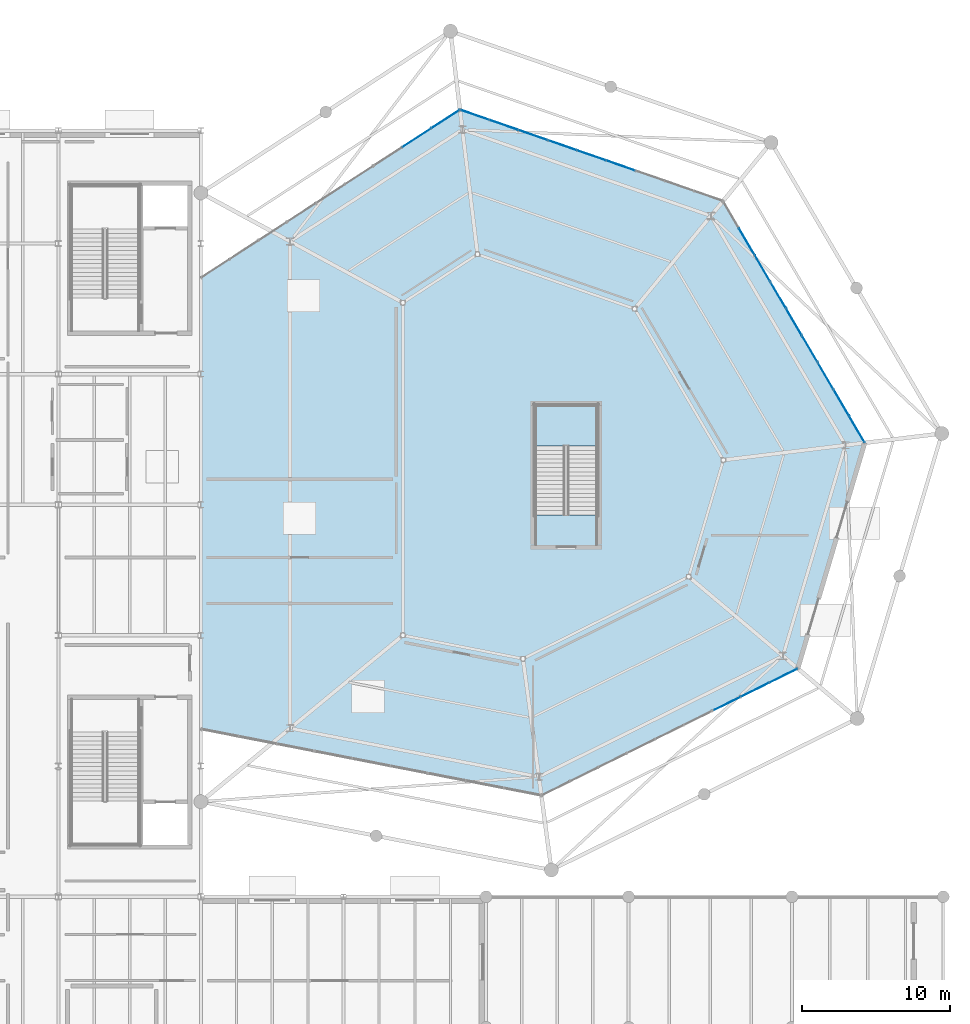
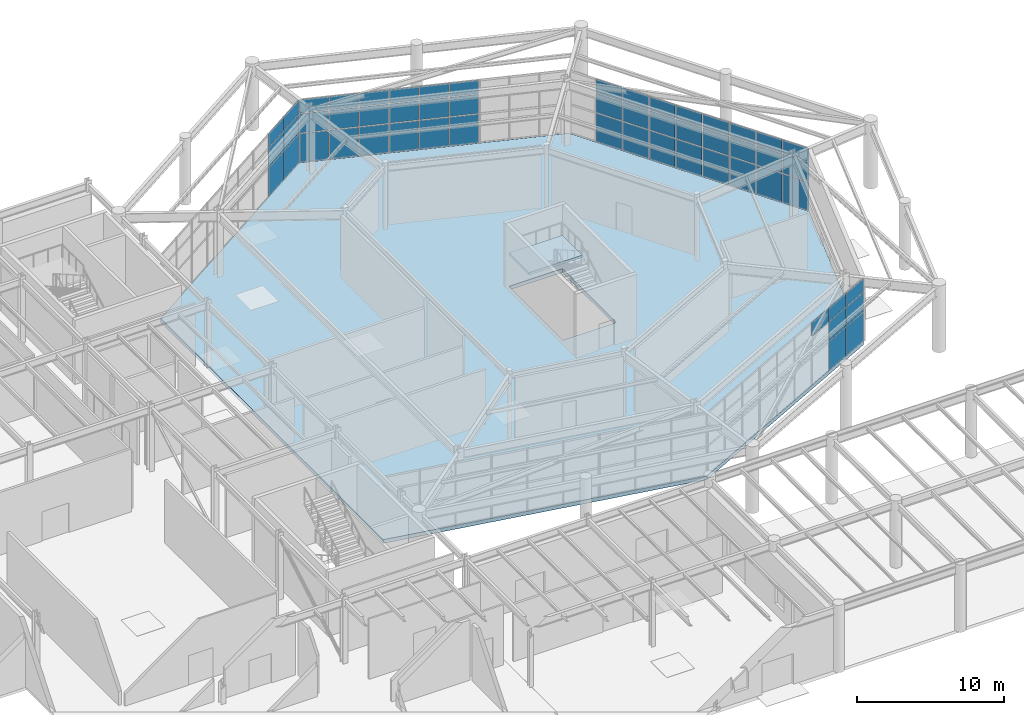
# One storey, part 39 of 70: 55 plates, 2 slabs, 8 elements without a shape of their own.
"""IFC4 building model written with IfcOpenShell, lengths in metres."""

from ifc_helpers import new_model, si_unit, direction, frame, origin, origin_2d, place, context, subcontext, project, spatial, polyline, rectangle, outline, extrude, material, layer, layer_set, type_object, element, aggregate, save


model = new_model("IFC4")

# Units and contexts
model_context = context("Model", 3, precision=1e-05, world=origin(), true_north=direction((0.0, 1.0)))
body_context = subcontext(model_context, "Body", "Model", "MODEL_VIEW")
ifc_project = project(units=[si_unit("LENGTHUNIT", "METRE"), si_unit("AREAUNIT", "SQUARE_METRE"), si_unit("VOLUMEUNIT", "CUBIC_METRE"), si_unit("PLANEANGLEUNIT", "RADIAN"), si_unit("MASSUNIT", "GRAM", prefix="KILO")], contexts=[model_context])

# Site, building, storey
site_placement = place(None, origin())
site = spatial("IfcSite", under=ifc_project, at=site_placement, CompositionType="ELEMENT")
building_placement = place(site_placement, origin())
building = spatial("IfcBuilding", under=site, at=building_placement, Name="Sarnbrook Museum", CompositionType="ELEMENT")
storey_placement = place(building_placement, origin())
storey = spatial("IfcBuildingStorey", under=building, at=storey_placement, Name="L00", CompositionType="ELEMENT", Elevation=0.0)

# Curtain wall, plates
ifc_material_1 = material(Name="Thermally Broken Anodised Aluminium 6063-T6", Category="aluminium")
curtain_wall_type = type_object("IfcCurtainWallType", Name="CurtainWall_Colonnade", PredefinedType="NOTDEFINED", material=ifc_material_1)
curtain_wall_1_placement = place(storey_placement, origin())
curtain_wall_1 = element("IfcCurtainWall", 1, at=curtain_wall_1_placement, inside=storey, type_object=curtain_wall_type, Name="Colonnade Recessed Glazing L00-F2.3", PredefinedType="NOTDEFINED")
ifc_material_2 = material(Name="Double-Glazed Low-Iron Laminated Safety Glass", Category="glass")
ifc_layer_1 = layer(ifc_material_2, 0.031982421875)
ifc_layer_set_1 = layer_set([ifc_layer_1], Name="Double-Glazed Low-Iron Laminated Safety Glass")
plate_type = type_object("IfcPlateType", Name="CW_GlazedPanel_32", PredefinedType="CURTAIN_PANEL", material=ifc_layer_set_1)
plate_1_placement = place(storey_placement, frame((154.593505859375, 69.8046875, 4.695068359375), z_axis=(0.443729206176, -0.896160918355, 0.0), x_axis=(0.896160918355, 0.443729206176, 0.0)))
plate_1 = element("IfcPlate", 2, at=plate_1_placement, type_object=plate_type, Name="Colonnade Recessed Glazing L00-F2.3 Glazed Panel 1-3", PredefinedType="CURTAIN_PANEL", context=body_context, shape_type="SweptSolid", body=[
    extrude(rectangle(XDim=2.066162109375, YDim=1.1201171875, at=origin_2d()), origin(), (0.0, 0.0, 1.0), 0.031982421875),
])
plate_2_placement = place(storey_placement, frame((156.512451171875, 70.7548828125, 1.22509765625), z_axis=(0.443729206176, -0.896160918355, 0.0), x_axis=(0.896160918355, 0.443729206176, 0.0)))
plate_2 = element("IfcPlate", 3, at=plate_2_placement, type_object=plate_type, Name="Colonnade Recessed Glazing L00-F2.3 Glazed Panel 2-1", PredefinedType="CURTAIN_PANEL", context=body_context, shape_type="SweptSolid", body=[
    extrude(rectangle(XDim=2.066162109375, YDim=2.3798828125, at=origin_2d()), origin(), (0.0, 0.0, 1.0), 0.031982421875),
])
plate_3_placement = place(storey_placement, frame((156.512451171875, 70.7548828125, 3.27490234375), z_axis=(0.443729206176, -0.896160918355, 0.0), x_axis=(0.896160918355, 0.443729206176, 0.0)))
plate_3 = element("IfcPlate", 4, at=plate_3_placement, type_object=plate_type, Name="Colonnade Recessed Glazing L00-F2.3 Glazed Panel 2-2", PredefinedType="CURTAIN_PANEL", context=body_context, shape_type="SweptSolid", body=[
    extrude(rectangle(XDim=2.066162109375, YDim=1.580078125, at=origin_2d()), origin(), (0.0, 0.0, 1.0), 0.031982421875),
])
plate_4_placement = place(storey_placement, frame((156.512451171875, 70.7548828125, 4.695068359375), z_axis=(0.443729206176, -0.896160918355, 0.0), x_axis=(0.896160918355, 0.443729206176, 0.0)))
plate_4 = element("IfcPlate", 5, at=plate_4_placement, type_object=plate_type, Name="Colonnade Recessed Glazing L00-F2.3 Glazed Panel 2-3", PredefinedType="CURTAIN_PANEL", context=body_context, shape_type="SweptSolid", body=[
    extrude(rectangle(XDim=2.066162109375, YDim=1.1201171875, at=origin_2d()), origin(), (0.0, 0.0, 1.0), 0.031982421875),
])
plate_5_placement = place(storey_placement, frame((158.43115234375, 71.704833984375, 1.22509765625), z_axis=(0.443729206176, -0.896160918355, 0.0), x_axis=(0.896160918355, 0.443729206176, 0.0)))
plate_5 = element("IfcPlate", 6, at=plate_5_placement, type_object=plate_type, Name="Colonnade Recessed Glazing L00-F2.3 Glazed Panel 3-1", PredefinedType="CURTAIN_PANEL", context=body_context, shape_type="SweptSolid", body=[
    extrude(rectangle(XDim=2.066162109375, YDim=2.3798828125, at=origin_2d()), origin(), (0.0, 0.0, 1.0), 0.031982421875),
])
plate_6_placement = place(storey_placement, frame((158.43115234375, 71.704833984375, 3.27490234375), z_axis=(0.443729206176, -0.896160918355, 0.0), x_axis=(0.896160918355, 0.443729206176, 0.0)))
plate_6 = element("IfcPlate", 7, at=plate_6_placement, type_object=plate_type, Name="Colonnade Recessed Glazing L00-F2.3 Glazed Panel 3-2", PredefinedType="CURTAIN_PANEL", context=body_context, shape_type="SweptSolid", body=[
    extrude(rectangle(XDim=2.066162109375, YDim=1.580078125, at=origin_2d()), origin(), (0.0, 0.0, 1.0), 0.031982421875),
])
plate_7_placement = place(storey_placement, frame((158.43115234375, 71.704833984375, 4.695068359375), z_axis=(0.443729206176, -0.896160918355, 0.0), x_axis=(0.896160918355, 0.443729206176, 0.0)))
plate_7 = element("IfcPlate", 8, at=plate_7_placement, type_object=plate_type, Name="Colonnade Recessed Glazing L00-F2.3 Glazed Panel 3-3", PredefinedType="CURTAIN_PANEL", context=body_context, shape_type="SweptSolid", body=[
    extrude(rectangle(XDim=2.066162109375, YDim=1.1201171875, at=origin_2d()), origin(), (0.0, 0.0, 1.0), 0.031982421875),
])
aggregate(curtain_wall_1, [plate_1, plate_2, plate_3, plate_4, plate_5, plate_6, plate_7])

curtain_wall_2_placement = place(storey_placement, origin())
curtain_wall_2 = element("IfcCurtainWall", 9, at=curtain_wall_2_placement, inside=storey, type_object=curtain_wall_type, Name="Colonnade Recessed Glazing L00-F4.1", PredefinedType="NOTDEFINED")
plate_8_placement = place(storey_placement, frame((163.367919921875, 88.2685546875, 1.22509765625), z_axis=(0.862498293832, 0.506059969901, 0.0), x_axis=(-0.506059969901, 0.862498293832, 0.0)))
plate_8 = element("IfcPlate", 10, at=plate_8_placement, type_object=plate_type, Name="Colonnade Recessed Glazing L00-F4.1 Glazed Panel 1-1", PredefinedType="CURTAIN_PANEL", context=body_context, shape_type="SweptSolid", body=[
    extrude(rectangle(XDim=2.02197265625, YDim=2.3798828125, at=origin_2d()), origin(), (0.0, 0.0, 1.0), 0.031982421875),
])
plate_9_placement = place(storey_placement, frame((163.367919921875, 88.2685546875, 3.27490234375), z_axis=(0.862498293832, 0.506059969901, 0.0), x_axis=(-0.506059969901, 0.862498293832, 0.0)))
plate_9 = element("IfcPlate", 11, at=plate_9_placement, type_object=plate_type, Name="Colonnade Recessed Glazing L00-F4.1 Glazed Panel 1-2", PredefinedType="CURTAIN_PANEL", context=body_context, shape_type="SweptSolid", body=[
    extrude(rectangle(XDim=2.02197265625, YDim=1.580078125, at=origin_2d()), origin(), (0.0, 0.0, 1.0), 0.031982421875),
])
plate_10_placement = place(storey_placement, frame((163.367919921875, 88.2685546875, 4.695068359375), z_axis=(0.862498293832, 0.506059969901, 0.0), x_axis=(-0.506059969901, 0.862498293832, 0.0)))
plate_10 = element("IfcPlate", 12, at=plate_10_placement, type_object=plate_type, Name="Colonnade Recessed Glazing L00-F4.1 Glazed Panel 1-3", PredefinedType="CURTAIN_PANEL", context=body_context, shape_type="SweptSolid", body=[
    extrude(rectangle(XDim=2.02197265625, YDim=1.1201171875, at=origin_2d()), origin(), (0.0, 0.0, 1.0), 0.031982421875),
])
plate_11_placement = place(storey_placement, frame((162.306884765625, 90.0771484375, 1.22509765625), z_axis=(0.862498293832, 0.506059969901, 0.0), x_axis=(-0.506059969901, 0.862498293832, 0.0)))
plate_11 = element("IfcPlate", 13, at=plate_11_placement, type_object=plate_type, Name="Colonnade Recessed Glazing L00-F4.1 Glazed Panel 2-1", PredefinedType="CURTAIN_PANEL", context=body_context, shape_type="SweptSolid", body=[
    extrude(rectangle(XDim=2.02197265625, YDim=2.3798828125, at=origin_2d()), origin(), (0.0, 0.0, 1.0), 0.031982421875),
])
plate_12_placement = place(storey_placement, frame((162.306884765625, 90.0771484375, 3.27490234375), z_axis=(0.862498293832, 0.506059969901, 0.0), x_axis=(-0.506059969901, 0.862498293832, 0.0)))
plate_12 = element("IfcPlate", 14, at=plate_12_placement, type_object=plate_type, Name="Colonnade Recessed Glazing L00-F4.1 Glazed Panel 2-2", PredefinedType="CURTAIN_PANEL", context=body_context, shape_type="SweptSolid", body=[
    extrude(rectangle(XDim=2.02197265625, YDim=1.580078125, at=origin_2d()), origin(), (0.0, 0.0, 1.0), 0.031982421875),
])
plate_13_placement = place(storey_placement, frame((162.306884765625, 90.0771484375, 4.695068359375), z_axis=(0.862498293832, 0.506059969901, 0.0), x_axis=(-0.506059969901, 0.862498293832, 0.0)))
plate_13 = element("IfcPlate", 15, at=plate_13_placement, type_object=plate_type, Name="Colonnade Recessed Glazing L00-F4.1 Glazed Panel 2-3", PredefinedType="CURTAIN_PANEL", context=body_context, shape_type="SweptSolid", body=[
    extrude(rectangle(XDim=2.02197265625, YDim=1.1201171875, at=origin_2d()), origin(), (0.0, 0.0, 1.0), 0.031982421875),
])
plate_14_placement = place(storey_placement, frame((161.245849609375, 91.8857421875, 1.22509765625), z_axis=(0.862498293832, 0.506059969901, 0.0), x_axis=(-0.506059969901, 0.862498293832, 0.0)))
plate_14 = element("IfcPlate", 16, at=plate_14_placement, type_object=plate_type, Name="Colonnade Recessed Glazing L00-F4.1 Glazed Panel 3-1", PredefinedType="CURTAIN_PANEL", context=body_context, shape_type="SweptSolid", body=[
    extrude(rectangle(XDim=2.02197265625, YDim=2.3798828125, at=origin_2d()), origin(), (0.0, 0.0, 1.0), 0.031982421875),
])
plate_15_placement = place(storey_placement, frame((161.245849609375, 91.8857421875, 3.27490234375), z_axis=(0.862498293832, 0.506059969901, 0.0), x_axis=(-0.506059969901, 0.862498293832, 0.0)))
plate_15 = element("IfcPlate", 17, at=plate_15_placement, type_object=plate_type, Name="Colonnade Recessed Glazing L00-F4.1 Glazed Panel 3-2", PredefinedType="CURTAIN_PANEL", context=body_context, shape_type="SweptSolid", body=[
    extrude(rectangle(XDim=2.02197265625, YDim=1.580078125, at=origin_2d()), origin(), (0.0, 0.0, 1.0), 0.031982421875),
])
plate_16_placement = place(storey_placement, frame((161.245849609375, 91.8857421875, 4.695068359375), z_axis=(0.862498293832, 0.506059969901, 0.0), x_axis=(-0.506059969901, 0.862498293832, 0.0)))
plate_16 = element("IfcPlate", 18, at=plate_16_placement, type_object=plate_type, Name="Colonnade Recessed Glazing L00-F4.1 Glazed Panel 3-3", PredefinedType="CURTAIN_PANEL", context=body_context, shape_type="SweptSolid", body=[
    extrude(rectangle(XDim=2.02197265625, YDim=1.1201171875, at=origin_2d()), origin(), (0.0, 0.0, 1.0), 0.031982421875),
])
aggregate(curtain_wall_2, [plate_8, plate_9, plate_10, plate_11, plate_12, plate_13, plate_14, plate_15, plate_16])

curtain_wall_3_placement = place(storey_placement, origin())
curtain_wall_3 = element("IfcCurtainWall", 19, at=curtain_wall_3_placement, inside=storey, type_object=curtain_wall_type, Name="Colonnade Recessed Glazing L00-F4.2", PredefinedType="NOTDEFINED")
plate_17_placement = place(storey_placement, frame((160.1845703125, 93.6943359375, 1.22509765625), z_axis=(0.862498293832, 0.506059969901, 0.0), x_axis=(-0.506059969901, 0.862498293832, 0.0)))
plate_17 = element("IfcPlate", 20, at=plate_17_placement, type_object=plate_type, Name="Colonnade Recessed Glazing L00-F4.2 Glazed Panel 1-1", PredefinedType="CURTAIN_PANEL", context=body_context, shape_type="SweptSolid", body=[
    extrude(rectangle(XDim=2.02197265625, YDim=2.3798828125, at=origin_2d()), origin(), (0.0, 0.0, 1.0), 0.031982421875),
])
plate_18_placement = place(storey_placement, frame((160.1845703125, 93.6943359375, 3.27490234375), z_axis=(0.862498293832, 0.506059969901, 0.0), x_axis=(-0.506059969901, 0.862498293832, 0.0)))
plate_18 = element("IfcPlate", 21, at=plate_18_placement, type_object=plate_type, Name="Colonnade Recessed Glazing L00-F4.2 Glazed Panel 1-2", PredefinedType="CURTAIN_PANEL", context=body_context, shape_type="SweptSolid", body=[
    extrude(rectangle(XDim=2.02197265625, YDim=1.580078125, at=origin_2d()), origin(), (0.0, 0.0, 1.0), 0.031982421875),
])
plate_19_placement = place(storey_placement, frame((160.1845703125, 93.6943359375, 4.695068359375), z_axis=(0.862498293832, 0.506059969901, 0.0), x_axis=(-0.506059969901, 0.862498293832, 0.0)))
plate_19 = element("IfcPlate", 22, at=plate_19_placement, type_object=plate_type, Name="Colonnade Recessed Glazing L00-F4.2 Glazed Panel 1-3", PredefinedType="CURTAIN_PANEL", context=body_context, shape_type="SweptSolid", body=[
    extrude(rectangle(XDim=2.02197265625, YDim=1.1201171875, at=origin_2d()), origin(), (0.0, 0.0, 1.0), 0.031982421875),
])
plate_20_placement = place(storey_placement, frame((159.123291015625, 95.5029296875, 1.22509765625), z_axis=(0.862498293832, 0.506059969901, 0.0), x_axis=(-0.506059969901, 0.862498293832, 0.0)))
plate_20 = element("IfcPlate", 23, at=plate_20_placement, type_object=plate_type, Name="Colonnade Recessed Glazing L00-F4.2 Glazed Panel 2-1", PredefinedType="CURTAIN_PANEL", context=body_context, shape_type="SweptSolid", body=[
    extrude(rectangle(XDim=2.02197265625, YDim=2.3798828125, at=origin_2d()), origin(), (0.0, 0.0, 1.0), 0.031982421875),
])
plate_21_placement = place(storey_placement, frame((159.123291015625, 95.5029296875, 3.27490234375), z_axis=(0.862498293832, 0.506059969901, 0.0), x_axis=(-0.506059969901, 0.862498293832, 0.0)))
plate_21 = element("IfcPlate", 24, at=plate_21_placement, type_object=plate_type, Name="Colonnade Recessed Glazing L00-F4.2 Glazed Panel 2-2", PredefinedType="CURTAIN_PANEL", context=body_context, shape_type="SweptSolid", body=[
    extrude(rectangle(XDim=2.02197265625, YDim=1.580078125, at=origin_2d()), origin(), (0.0, 0.0, 1.0), 0.031982421875),
])
plate_22_placement = place(storey_placement, frame((159.123291015625, 95.5029296875, 4.695068359375), z_axis=(0.862498293832, 0.506059969901, 0.0), x_axis=(-0.506059969901, 0.862498293832, 0.0)))
plate_22 = element("IfcPlate", 25, at=plate_22_placement, type_object=plate_type, Name="Colonnade Recessed Glazing L00-F4.2 Glazed Panel 2-3", PredefinedType="CURTAIN_PANEL", context=body_context, shape_type="SweptSolid", body=[
    extrude(rectangle(XDim=2.02197265625, YDim=1.1201171875, at=origin_2d()), origin(), (0.0, 0.0, 1.0), 0.031982421875),
])
plate_23_placement = place(storey_placement, frame((158.062255859375, 97.3115234375, 1.22509765625), z_axis=(0.862498293832, 0.506059969901, 0.0), x_axis=(-0.506059969901, 0.862498293832, 0.0)))
plate_23 = element("IfcPlate", 26, at=plate_23_placement, type_object=plate_type, Name="Colonnade Recessed Glazing L00-F4.2 Glazed Panel 3-1", PredefinedType="CURTAIN_PANEL", context=body_context, shape_type="SweptSolid", body=[
    extrude(rectangle(XDim=2.02197265625, YDim=2.3798828125, at=origin_2d()), origin(), (0.0, 0.0, 1.0), 0.031982421875),
])
plate_24_placement = place(storey_placement, frame((158.062255859375, 97.3115234375, 3.27490234375), z_axis=(0.862498293832, 0.506059969901, 0.0), x_axis=(-0.506059969901, 0.862498293832, 0.0)))
plate_24 = element("IfcPlate", 27, at=plate_24_placement, type_object=plate_type, Name="Colonnade Recessed Glazing L00-F4.2 Glazed Panel 3-2", PredefinedType="CURTAIN_PANEL", context=body_context, shape_type="SweptSolid", body=[
    extrude(rectangle(XDim=2.02197265625, YDim=1.580078125, at=origin_2d()), origin(), (0.0, 0.0, 1.0), 0.031982421875),
])
plate_25_placement = place(storey_placement, frame((158.062255859375, 97.3115234375, 4.695068359375), z_axis=(0.862498293832, 0.506059969901, 0.0), x_axis=(-0.506059969901, 0.862498293832, 0.0)))
plate_25 = element("IfcPlate", 28, at=plate_25_placement, type_object=plate_type, Name="Colonnade Recessed Glazing L00-F4.2 Glazed Panel 3-3", PredefinedType="CURTAIN_PANEL", context=body_context, shape_type="SweptSolid", body=[
    extrude(rectangle(XDim=2.02197265625, YDim=1.1201171875, at=origin_2d()), origin(), (0.0, 0.0, 1.0), 0.031982421875),
])
aggregate(curtain_wall_3, [plate_17, plate_18, plate_19, plate_20, plate_21, plate_22, plate_23, plate_24, plate_25])

curtain_wall_4_placement = place(storey_placement, origin())
curtain_wall_4 = element("IfcCurtainWall", 29, at=curtain_wall_4_placement, inside=storey, type_object=curtain_wall_type, Name="Colonnade Recessed Glazing L00-F4.3", PredefinedType="NOTDEFINED")
plate_26_placement = place(storey_placement, frame((157.0009765625, 99.1201171875, 1.22509765625), z_axis=(0.862498293832, 0.506059969901, 0.0), x_axis=(-0.506059969901, 0.862498293832, 0.0)))
plate_26 = element("IfcPlate", 30, at=plate_26_placement, type_object=plate_type, Name="Colonnade Recessed Glazing L00-F4.3 Glazed Panel 1-1", PredefinedType="CURTAIN_PANEL", context=body_context, shape_type="SweptSolid", body=[
    extrude(rectangle(XDim=2.02197265625, YDim=2.3798828125, at=origin_2d()), origin(), (0.0, 0.0, 1.0), 0.031982421875),
])
plate_27_placement = place(storey_placement, frame((157.0009765625, 99.1201171875, 3.27490234375), z_axis=(0.862498293832, 0.506059969901, 0.0), x_axis=(-0.506059969901, 0.862498293832, 0.0)))
plate_27 = element("IfcPlate", 31, at=plate_27_placement, type_object=plate_type, Name="Colonnade Recessed Glazing L00-F4.3 Glazed Panel 1-2", PredefinedType="CURTAIN_PANEL", context=body_context, shape_type="SweptSolid", body=[
    extrude(rectangle(XDim=2.02197265625, YDim=1.580078125, at=origin_2d()), origin(), (0.0, 0.0, 1.0), 0.031982421875),
])
plate_28_placement = place(storey_placement, frame((157.0009765625, 99.1201171875, 4.695068359375), z_axis=(0.862498293832, 0.506059969901, 0.0), x_axis=(-0.506059969901, 0.862498293832, 0.0)))
plate_28 = element("IfcPlate", 32, at=plate_28_placement, type_object=plate_type, Name="Colonnade Recessed Glazing L00-F4.3 Glazed Panel 1-3", PredefinedType="CURTAIN_PANEL", context=body_context, shape_type="SweptSolid", body=[
    extrude(rectangle(XDim=2.02197265625, YDim=1.1201171875, at=origin_2d()), origin(), (0.0, 0.0, 1.0), 0.031982421875),
])
plate_29_placement = place(storey_placement, frame((155.93994140625, 100.9287109375, 1.22509765625), z_axis=(0.862498293832, 0.506059969901, 0.0), x_axis=(-0.506059969901, 0.862498293832, 0.0)))
plate_29 = element("IfcPlate", 33, at=plate_29_placement, type_object=plate_type, Name="Colonnade Recessed Glazing L00-F4.3 Glazed Panel 2-1", PredefinedType="CURTAIN_PANEL", context=body_context, shape_type="SweptSolid", body=[
    extrude(rectangle(XDim=2.02197265625, YDim=2.3798828125, at=origin_2d()), origin(), (0.0, 0.0, 1.0), 0.031982421875),
])
plate_30_placement = place(storey_placement, frame((155.93994140625, 100.9287109375, 3.27490234375), z_axis=(0.862498293832, 0.506059969901, 0.0), x_axis=(-0.506059969901, 0.862498293832, 0.0)))
plate_30 = element("IfcPlate", 34, at=plate_30_placement, type_object=plate_type, Name="Colonnade Recessed Glazing L00-F4.3 Glazed Panel 2-2", PredefinedType="CURTAIN_PANEL", context=body_context, shape_type="SweptSolid", body=[
    extrude(rectangle(XDim=2.02197265625, YDim=1.580078125, at=origin_2d()), origin(), (0.0, 0.0, 1.0), 0.031982421875),
])
plate_31_placement = place(storey_placement, frame((155.93994140625, 100.9287109375, 4.695068359375), z_axis=(0.862498293832, 0.506059969901, 0.0), x_axis=(-0.506059969901, 0.862498293832, 0.0)))
plate_31 = element("IfcPlate", 35, at=plate_31_placement, type_object=plate_type, Name="Colonnade Recessed Glazing L00-F4.3 Glazed Panel 2-3", PredefinedType="CURTAIN_PANEL", context=body_context, shape_type="SweptSolid", body=[
    extrude(rectangle(XDim=2.02197265625, YDim=1.1201171875, at=origin_2d()), origin(), (0.0, 0.0, 1.0), 0.031982421875),
])
aggregate(curtain_wall_4, [plate_26, plate_27, plate_28, plate_29, plate_30, plate_31])

curtain_wall_5_placement = place(storey_placement, origin())
curtain_wall_5 = element("IfcCurtainWall", 36, at=curtain_wall_5_placement, inside=storey, type_object=curtain_wall_type, Name="Colonnade Recessed Glazing L00-F5.2", PredefinedType="NOTDEFINED")
plate_32_placement = place(storey_placement, frame((147.46435546875, 106.02978515625, 1.22509765625), z_axis=(0.328011887147, 0.944673595423, 0.0), x_axis=(-0.944673595423, 0.328011887147, 0.0)))
plate_32 = element("IfcPlate", 37, at=plate_32_placement, type_object=plate_type, Name="Colonnade Recessed Glazing L00-F5.2 Glazed Panel 1-1", PredefinedType="CURTAIN_PANEL", context=body_context, shape_type="SweptSolid", body=[
    extrude(rectangle(XDim=2.00830078125, YDim=2.3798828125, at=origin_2d()), origin(), (0.0, 0.0, 1.0), 0.031982421875),
])
plate_33_placement = place(storey_placement, frame((147.46435546875, 106.02978515625, 3.27490234375), z_axis=(0.328011887147, 0.944673595423, 0.0), x_axis=(-0.944673595423, 0.328011887147, 0.0)))
plate_33 = element("IfcPlate", 38, at=plate_33_placement, type_object=plate_type, Name="Colonnade Recessed Glazing L00-F5.2 Glazed Panel 1-2", PredefinedType="CURTAIN_PANEL", context=body_context, shape_type="SweptSolid", body=[
    extrude(rectangle(XDim=2.00830078125, YDim=1.580078125, at=origin_2d()), origin(), (0.0, 0.0, 1.0), 0.031982421875),
])
plate_34_placement = place(storey_placement, frame((147.46435546875, 106.02978515625, 4.695068359375), z_axis=(0.328011887147, 0.944673595423, 0.0), x_axis=(-0.944673595423, 0.328011887147, 0.0)))
plate_34 = element("IfcPlate", 39, at=plate_34_placement, type_object=plate_type, Name="Colonnade Recessed Glazing L00-F5.2 Glazed Panel 1-3", PredefinedType="CURTAIN_PANEL", context=body_context, shape_type="SweptSolid", body=[
    extrude(rectangle(XDim=2.00830078125, YDim=1.1201171875, at=origin_2d()), origin(), (0.0, 0.0, 1.0), 0.031982421875),
])
plate_35_placement = place(storey_placement, frame((145.49658203125, 106.712890625, 1.22509765625), z_axis=(0.328011887147, 0.944673595423, 0.0), x_axis=(-0.944673595423, 0.328011887147, 0.0)))
plate_35 = element("IfcPlate", 40, at=plate_35_placement, type_object=plate_type, Name="Colonnade Recessed Glazing L00-F5.2 Glazed Panel 2-1", PredefinedType="CURTAIN_PANEL", context=body_context, shape_type="SweptSolid", body=[
    extrude(rectangle(XDim=2.00830078125, YDim=2.3798828125, at=origin_2d()), origin(), (0.0, 0.0, 1.0), 0.031982421875),
])
plate_36_placement = place(storey_placement, frame((145.49658203125, 106.712890625, 3.27490234375), z_axis=(0.328011887147, 0.944673595423, 0.0), x_axis=(-0.944673595423, 0.328011887147, 0.0)))
plate_36 = element("IfcPlate", 41, at=plate_36_placement, type_object=plate_type, Name="Colonnade Recessed Glazing L00-F5.2 Glazed Panel 2-2", PredefinedType="CURTAIN_PANEL", context=body_context, shape_type="SweptSolid", body=[
    extrude(rectangle(XDim=2.00830078125, YDim=1.580078125, at=origin_2d()), origin(), (0.0, 0.0, 1.0), 0.031982421875),
])
plate_37_placement = place(storey_placement, frame((145.49658203125, 106.712890625, 4.695068359375), z_axis=(0.328011887147, 0.944673595423, 0.0), x_axis=(-0.944673595423, 0.328011887147, 0.0)))
plate_37 = element("IfcPlate", 42, at=plate_37_placement, type_object=plate_type, Name="Colonnade Recessed Glazing L00-F5.2 Glazed Panel 2-3", PredefinedType="CURTAIN_PANEL", context=body_context, shape_type="SweptSolid", body=[
    extrude(rectangle(XDim=2.00830078125, YDim=1.1201171875, at=origin_2d()), origin(), (0.0, 0.0, 1.0), 0.031982421875),
])
plate_38_placement = place(storey_placement, frame((143.528564453125, 107.396240234375, 1.22509765625), z_axis=(0.328011887147, 0.944673595423, 0.0), x_axis=(-0.944673595423, 0.328011887147, 0.0)))
plate_38 = element("IfcPlate", 43, at=plate_38_placement, type_object=plate_type, Name="Colonnade Recessed Glazing L00-F5.2 Glazed Panel 3-1", PredefinedType="CURTAIN_PANEL", context=body_context, shape_type="SweptSolid", body=[
    extrude(rectangle(XDim=2.00830078125, YDim=2.3798828125, at=origin_2d()), origin(), (0.0, 0.0, 1.0), 0.031982421875),
])
plate_39_placement = place(storey_placement, frame((143.528564453125, 107.396240234375, 3.27490234375), z_axis=(0.328011887147, 0.944673595423, 0.0), x_axis=(-0.944673595423, 0.328011887147, 0.0)))
plate_39 = element("IfcPlate", 44, at=plate_39_placement, type_object=plate_type, Name="Colonnade Recessed Glazing L00-F5.2 Glazed Panel 3-2", PredefinedType="CURTAIN_PANEL", context=body_context, shape_type="SweptSolid", body=[
    extrude(rectangle(XDim=2.00830078125, YDim=1.580078125, at=origin_2d()), origin(), (0.0, 0.0, 1.0), 0.031982421875),
])
plate_40_placement = place(storey_placement, frame((143.528564453125, 107.396240234375, 4.695068359375), z_axis=(0.328011887147, 0.944673595423, 0.0), x_axis=(-0.944673595423, 0.328011887147, 0.0)))
plate_40 = element("IfcPlate", 45, at=plate_40_placement, type_object=plate_type, Name="Colonnade Recessed Glazing L00-F5.2 Glazed Panel 3-3", PredefinedType="CURTAIN_PANEL", context=body_context, shape_type="SweptSolid", body=[
    extrude(rectangle(XDim=2.00830078125, YDim=1.1201171875, at=origin_2d()), origin(), (0.0, 0.0, 1.0), 0.031982421875),
])
aggregate(curtain_wall_5, [plate_32, plate_33, plate_34, plate_35, plate_36, plate_37, plate_38, plate_39, plate_40])

curtain_wall_6_placement = place(storey_placement, origin())
curtain_wall_6 = element("IfcCurtainWall", 46, at=curtain_wall_6_placement, inside=storey, type_object=curtain_wall_type, Name="Colonnade Recessed Glazing L00-F5.3", PredefinedType="NOTDEFINED")
plate_41_placement = place(storey_placement, frame((141.560546875, 108.07958984375, 1.22509765625), z_axis=(0.328011887147, 0.944673595423, 0.0), x_axis=(-0.944673595423, 0.328011887147, 0.0)))
plate_41 = element("IfcPlate", 47, at=plate_41_placement, type_object=plate_type, Name="Colonnade Recessed Glazing L00-F5.3 Glazed Panel 1-1", PredefinedType="CURTAIN_PANEL", context=body_context, shape_type="SweptSolid", body=[
    extrude(rectangle(XDim=2.00830078125, YDim=2.3798828125, at=origin_2d()), origin(), (0.0, 0.0, 1.0), 0.031982421875),
])
plate_42_placement = place(storey_placement, frame((141.560546875, 108.07958984375, 3.27490234375), z_axis=(0.328011887147, 0.944673595423, 0.0), x_axis=(-0.944673595423, 0.328011887147, 0.0)))
plate_42 = element("IfcPlate", 48, at=plate_42_placement, type_object=plate_type, Name="Colonnade Recessed Glazing L00-F5.3 Glazed Panel 1-2", PredefinedType="CURTAIN_PANEL", context=body_context, shape_type="SweptSolid", body=[
    extrude(rectangle(XDim=2.00830078125, YDim=1.580078125, at=origin_2d()), origin(), (0.0, 0.0, 1.0), 0.031982421875),
])
plate_43_placement = place(storey_placement, frame((141.560546875, 108.07958984375, 4.695068359375), z_axis=(0.328011887147, 0.944673595423, 0.0), x_axis=(-0.944673595423, 0.328011887147, 0.0)))
plate_43 = element("IfcPlate", 49, at=plate_43_placement, type_object=plate_type, Name="Colonnade Recessed Glazing L00-F5.3 Glazed Panel 1-3", PredefinedType="CURTAIN_PANEL", context=body_context, shape_type="SweptSolid", body=[
    extrude(rectangle(XDim=2.00830078125, YDim=1.1201171875, at=origin_2d()), origin(), (0.0, 0.0, 1.0), 0.031982421875),
])
plate_44_placement = place(storey_placement, frame((139.5927734375, 108.762939453125, 1.22509765625), z_axis=(0.328011887147, 0.944673595423, 0.0), x_axis=(-0.944673595423, 0.328011887147, 0.0)))
plate_44 = element("IfcPlate", 50, at=plate_44_placement, type_object=plate_type, Name="Colonnade Recessed Glazing L00-F5.3 Glazed Panel 2-1", PredefinedType="CURTAIN_PANEL", context=body_context, shape_type="SweptSolid", body=[
    extrude(rectangle(XDim=2.00830078125, YDim=2.3798828125, at=origin_2d()), origin(), (0.0, 0.0, 1.0), 0.031982421875),
])
plate_45_placement = place(storey_placement, frame((139.5927734375, 108.762939453125, 3.27490234375), z_axis=(0.328011887147, 0.944673595423, 0.0), x_axis=(-0.944673595423, 0.328011887147, 0.0)))
plate_45 = element("IfcPlate", 51, at=plate_45_placement, type_object=plate_type, Name="Colonnade Recessed Glazing L00-F5.3 Glazed Panel 2-2", PredefinedType="CURTAIN_PANEL", context=body_context, shape_type="SweptSolid", body=[
    extrude(rectangle(XDim=2.00830078125, YDim=1.580078125, at=origin_2d()), origin(), (0.0, 0.0, 1.0), 0.031982421875),
])
plate_46_placement = place(storey_placement, frame((139.5927734375, 108.762939453125, 4.695068359375), z_axis=(0.328011887147, 0.944673595423, 0.0), x_axis=(-0.944673595423, 0.328011887147, 0.0)))
plate_46 = element("IfcPlate", 52, at=plate_46_placement, type_object=plate_type, Name="Colonnade Recessed Glazing L00-F5.3 Glazed Panel 2-3", PredefinedType="CURTAIN_PANEL", context=body_context, shape_type="SweptSolid", body=[
    extrude(rectangle(XDim=2.00830078125, YDim=1.1201171875, at=origin_2d()), origin(), (0.0, 0.0, 1.0), 0.031982421875),
])
plate_47_placement = place(storey_placement, frame((137.624755859375, 109.4462890625, 1.22509765625), z_axis=(0.328011887147, 0.944673595423, 0.0), x_axis=(-0.944673595423, 0.328011887147, 0.0)))
plate_47 = element("IfcPlate", 53, at=plate_47_placement, type_object=plate_type, Name="Colonnade Recessed Glazing L00-F5.3 Glazed Panel 3-1", PredefinedType="CURTAIN_PANEL", context=body_context, shape_type="SweptSolid", body=[
    extrude(rectangle(XDim=2.00830078125, YDim=2.3798828125, at=origin_2d()), origin(), (0.0, 0.0, 1.0), 0.031982421875),
])
plate_48_placement = place(storey_placement, frame((137.624755859375, 109.4462890625, 3.27490234375), z_axis=(0.328011887147, 0.944673595423, 0.0), x_axis=(-0.944673595423, 0.328011887147, 0.0)))
plate_48 = element("IfcPlate", 54, at=plate_48_placement, type_object=plate_type, Name="Colonnade Recessed Glazing L00-F5.3 Glazed Panel 3-2", PredefinedType="CURTAIN_PANEL", context=body_context, shape_type="SweptSolid", body=[
    extrude(rectangle(XDim=2.00830078125, YDim=1.580078125, at=origin_2d()), origin(), (0.0, 0.0, 1.0), 0.031982421875),
])
plate_49_placement = place(storey_placement, frame((137.624755859375, 109.4462890625, 4.695068359375), z_axis=(0.328011887147, 0.944673595423, 0.0), x_axis=(-0.944673595423, 0.328011887147, 0.0)))
plate_49 = element("IfcPlate", 55, at=plate_49_placement, type_object=plate_type, Name="Colonnade Recessed Glazing L00-F5.3 Glazed Panel 3-3", PredefinedType="CURTAIN_PANEL", context=body_context, shape_type="SweptSolid", body=[
    extrude(rectangle(XDim=2.00830078125, YDim=1.1201171875, at=origin_2d()), origin(), (0.0, 0.0, 1.0), 0.031982421875),
])
aggregate(curtain_wall_6, [plate_41, plate_42, plate_43, plate_44, plate_45, plate_46, plate_47, plate_48, plate_49])

curtain_wall_7_placement = place(storey_placement, origin())
curtain_wall_7 = element("IfcCurtainWall", 56, at=curtain_wall_7_placement, inside=storey, type_object=curtain_wall_type, Name="Colonnade Recessed Glazing L00-F6.1", PredefinedType="NOTDEFINED")
plate_50_placement = place(storey_placement, frame((135.6787109375, 109.16015625, 1.22509765625), z_axis=(-0.544285608834, 0.838899979745, 0.0), x_axis=(-0.838899979745, -0.544285608834, 0.0)))
plate_50 = element("IfcPlate", 57, at=plate_50_placement, type_object=plate_type, Name="Colonnade Recessed Glazing L00-F6.1 Glazed Panel 1-1", PredefinedType="CURTAIN_PANEL", context=body_context, shape_type="SweptSolid", body=[
    extrude(rectangle(XDim=2.2353515625, YDim=2.3798828125, at=origin_2d()), origin(), (0.0, 0.0, 1.0), 0.031982421875),
])
plate_51_placement = place(storey_placement, frame((135.6787109375, 109.16015625, 3.27490234375), z_axis=(-0.544285608834, 0.838899979745, 0.0), x_axis=(-0.838899979745, -0.544285608834, 0.0)))
plate_51 = element("IfcPlate", 58, at=plate_51_placement, type_object=plate_type, Name="Colonnade Recessed Glazing L00-F6.1 Glazed Panel 1-2", PredefinedType="CURTAIN_PANEL", context=body_context, shape_type="SweptSolid", body=[
    extrude(rectangle(XDim=2.2353515625, YDim=1.580078125, at=origin_2d()), origin(), (0.0, 0.0, 1.0), 0.031982421875),
])
plate_52_placement = place(storey_placement, frame((135.6787109375, 109.16015625, 4.695068359375), z_axis=(-0.544285608834, 0.838899979745, 0.0), x_axis=(-0.838899979745, -0.544285608834, 0.0)))
plate_52 = element("IfcPlate", 59, at=plate_52_placement, type_object=plate_type, Name="Colonnade Recessed Glazing L00-F6.1 Glazed Panel 1-3", PredefinedType="CURTAIN_PANEL", context=body_context, shape_type="SweptSolid", body=[
    extrude(rectangle(XDim=2.2353515625, YDim=1.1201171875, at=origin_2d()), origin(), (0.0, 0.0, 1.0), 0.031982421875),
])
plate_53_placement = place(storey_placement, frame((133.740478515625, 107.902587890625, 1.22509765625), z_axis=(-0.544285608834, 0.838899979745, 0.0), x_axis=(-0.838899979745, -0.544285608834, 0.0)))
plate_53 = element("IfcPlate", 60, at=plate_53_placement, type_object=plate_type, Name="Colonnade Recessed Glazing L00-F6.1 Glazed Panel 2-1", PredefinedType="CURTAIN_PANEL", context=body_context, shape_type="SweptSolid", body=[
    extrude(rectangle(XDim=2.2353515625, YDim=2.3798828125, at=origin_2d()), origin(), (0.0, 0.0, 1.0), 0.031982421875),
])
plate_54_placement = place(storey_placement, frame((133.740478515625, 107.902587890625, 3.27490234375), z_axis=(-0.544285608834, 0.838899979745, 0.0), x_axis=(-0.838899979745, -0.544285608834, 0.0)))
plate_54 = element("IfcPlate", 61, at=plate_54_placement, type_object=plate_type, Name="Colonnade Recessed Glazing L00-F6.1 Glazed Panel 2-2", PredefinedType="CURTAIN_PANEL", context=body_context, shape_type="SweptSolid", body=[
    extrude(rectangle(XDim=2.2353515625, YDim=1.580078125, at=origin_2d()), origin(), (0.0, 0.0, 1.0), 0.031982421875),
])
plate_55_placement = place(storey_placement, frame((133.740478515625, 107.902587890625, 4.695068359375), z_axis=(-0.544285608834, 0.838899979745, 0.0), x_axis=(-0.838899979745, -0.544285608834, 0.0)))
plate_55 = element("IfcPlate", 62, at=plate_55_placement, type_object=plate_type, Name="Colonnade Recessed Glazing L00-F6.1 Glazed Panel 2-3", PredefinedType="CURTAIN_PANEL", context=body_context, shape_type="SweptSolid", body=[
    extrude(rectangle(XDim=2.2353515625, YDim=1.1201171875, at=origin_2d()), origin(), (0.0, 0.0, 1.0), 0.031982421875),
])
aggregate(curtain_wall_7, [plate_50, plate_51, plate_52, plate_53, plate_54, plate_55])

# Slab
ifc_material_3 = material(Name="Concrete N40 (AS 3600, f'c = 40 MPa)", Category="concrete")
ifc_layer_2 = layer(ifc_material_3, 0.31005859375)
ifc_layer_set_2 = layer_set([ifc_layer_2], Name="Concrete N40 (AS 3600, f'c = 40 MPa)")
slab_type_1 = type_object("IfcSlabType", Name="FloorSlab_310", PredefinedType="FLOOR", material=ifc_layer_set_2)
slab_1_placement = place(storey_placement, frame((0.0, 0.0, -0.31005859375)))
element("IfcSlab", 63, at=slab_1_placement, inside=storey, type_object=slab_type_1, Name="V1 Structural Slab L00", PredefinedType="FLOOR", context=body_context, shape_type="SweptSolid", body=[
    extrude(outline(polyline([(136.643310546875, 109.79541015625), (154.35498046875, 103.6455078125), (163.905517578125, 87.368408203125), (159.394287109375, 72.172607421875), (142.125, 63.621826171875), (119.199951171875, 68.09033203125), (119.199951171875, 98.478271484375), (136.643310546875, 109.79541015625)]), holes=[polyline([(145.89990234375, 82.5205078125), (141.699951171875, 82.5205078125), (141.699951171875, 89.89990234375), (145.89990234375, 89.89990234375), (145.89990234375, 82.5205078125)])]), origin(), (0.0, 0.0, 1.0), 0.31005859375),
])

# Stair, slab
stair_type = type_object("IfcStairType", Name="Stair_ST06", PredefinedType="HALF_TURN_STAIR", material=ifc_material_3)
stair_placement = place(storey_placement, origin())
stair = element("IfcStair", 64, at=stair_placement, inside=storey, type_object=stair_type, Name="L00 Exit Stair ST7", PredefinedType="HALF_TURN_STAIR")
ifc_layer_3 = layer(ifc_material_3, 0.199951171875)
ifc_layer_set_3 = layer_set([ifc_layer_3], Name="Concrete N40 (AS 3600, f'c = 40 MPa)")
slab_type_2 = type_object("IfcSlabType", Name="Landing_200", PredefinedType="LANDING", material=ifc_layer_set_3)
slab_2_placement = place(storey_placement, frame((0.0, 0.0, 2.60009765625)))
slab_2 = element("IfcSlab", 65, at=slab_2_placement, type_object=slab_type_2, Name="ST7 landing 1", PredefinedType="LANDING", context=body_context, shape_type="SweptSolid", body=[
    extrude(outline(polyline([(145.89990234375, 87.159912109375), (145.89990234375, 89.89990234375), (141.699951171875, 89.89990234375), (141.699951171875, 87.159912109375), (145.89990234375, 87.159912109375)])), origin(), (0.0, 0.0, 1.0), 0.199951171875),
])
aggregate(stair, [slab_2])

save(model, "model.ifc")
